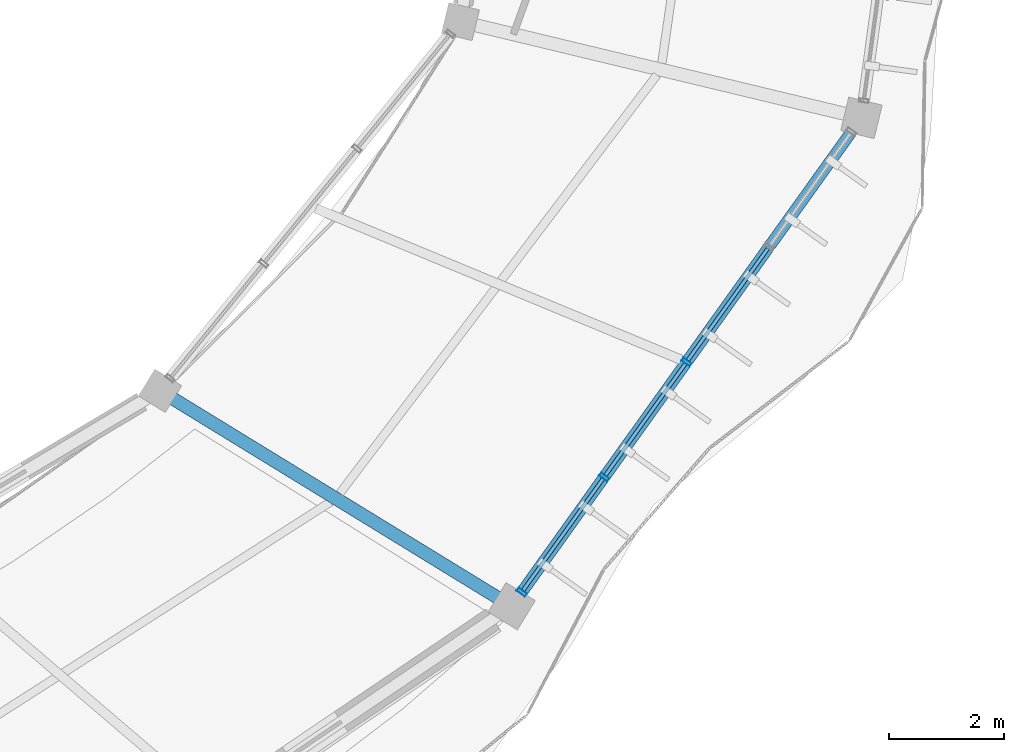
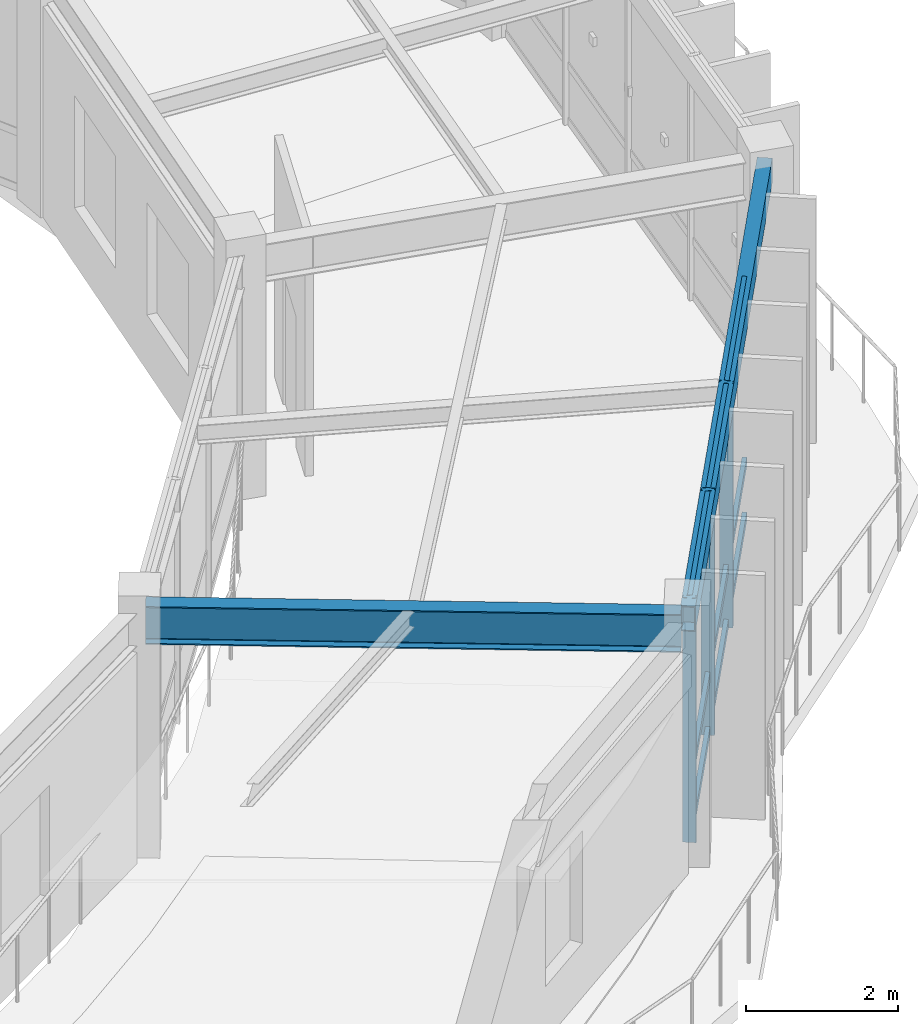
# One storey, part 54 of 83: 12 members, 2 beams, 1 element without a shape of its own.
"""IFC4 building model written with IfcOpenShell, lengths in metres."""

import ifcopenshell
import ifcopenshell.guid

model = None  # the IFC model being written
_history = None  # IfcOwnerHistory: only IFC2X3 demands one
_inside = {}  # id of a spatial element -> (the spatial element, [elements in it])
_under = {}  # id of a project, library or spatial element -> (it, [spatial elements below it])
_declared = {}  # id of a project -> (the project, [libraries it declares])
_typed = {}  # id of a type object -> (the type object, [elements of that type])
_made_of = {}  # id of a material, layer set ... -> (it, [elements and type objects made of it])


def new_model(schema):
    """Start an empty IFC model of exactly this schema.

    Asked for "IFC4X3", IfcOpenShell would pick the latest addendum, in which some entities
    have other attributes; the version numbers below select the first issue.
    IFC2X3 requires an IfcOwnerHistory on every rooted entity: one is made here for all.
    """
    global model, _history
    if schema == "IFC4X3":
        model = ifcopenshell.file(schema_version=(4, 3, 0, 0))
    else:
        model = ifcopenshell.file(schema=schema)
    _inside.clear()
    _under.clear()
    _declared.clear()
    _typed.clear()
    _made_of.clear()
    _history = None
    if model.schema == "IFC2X3":
        org = make("IfcOrganization", Name="unknown")
        user = make(
            "IfcPersonAndOrganization",
            ThePerson=make("IfcPerson", FamilyName="unknown"),
            TheOrganization=org,
        )
        app = make(
            "IfcApplication",
            ApplicationDeveloper=org,
            Version="unknown",
            ApplicationFullName="unknown",
            ApplicationIdentifier="unknown",
        )
        _history = make(
            "IfcOwnerHistory",
            OwningUser=user,
            OwningApplication=app,
            ChangeAction="ADDED",
            CreationDate=0,
        )
    return model


def make(cls, **values):
    """One entity of the class cls with the attributes given. An attribute that is None is left unset."""
    return model.create_entity(
        cls, **{name: value for name, value in values.items() if value is not None}
    )


def rooted(cls, **values):
    """An entity with a GlobalId (a new one), such as an element, a storey or a relation."""
    return make(cls, GlobalId=ifcopenshell.guid.new(), OwnerHistory=_history, **values)


def si_unit(unit_type, name, prefix=None):
    """IfcSIUnit, for example si_unit("LENGTHUNIT", "METRE", prefix="MILLI")."""
    return make("IfcSIUnit", UnitType=unit_type, Prefix=prefix, Name=name)


def assignment(units):
    """IfcUnitAssignment: the units of a project."""
    return None if units is None else make("IfcUnitAssignment", Units=units)


def point(xyz):
    """IfcCartesianPoint."""
    return None if xyz is None else make("IfcCartesianPoint", Coordinates=xyz)


def direction(xyz):
    """IfcDirection."""
    return None if xyz is None else make("IfcDirection", DirectionRatios=xyz)


def frame(location, z_axis=None, x_axis=None):
    """IfcAxis2Placement3D, a coordinate frame: its origin and axes. An axis left out is left unset."""
    return make(
        "IfcAxis2Placement3D",
        Location=point(location),
        Axis=direction(z_axis),
        RefDirection=direction(x_axis),
    )


def frame_2d(location, x_axis=None):
    """IfcAxis2Placement2D, a coordinate frame in the plane: its origin and x axis."""
    return make(
        "IfcAxis2Placement2D", Location=point(location), RefDirection=direction(x_axis)
    )


def origin():
    """The frame at (0, 0, 0) with its axes left unset."""
    return frame((0.0, 0.0, 0.0))


def origin_2d():
    """The frame at (0, 0) in the plane with its x axis left unset."""
    return frame_2d((0.0, 0.0))


def place(relative_to, where):
    """IfcLocalPlacement: puts the frame where relative to a parent placement (None: the world)."""
    return make(
        "IfcLocalPlacement", PlacementRelTo=relative_to, RelativePlacement=where
    )


def context(
    kind, dimensions, precision=None, world=None, true_north=None, identifier=None
):
    """IfcGeometricRepresentationContext, for example the 3D "Model" context."""
    return make(
        "IfcGeometricRepresentationContext",
        ContextIdentifier=identifier,
        ContextType=kind,
        CoordinateSpaceDimension=dimensions,
        Precision=precision,
        WorldCoordinateSystem=world,
        TrueNorth=true_north,
    )


def subcontext(parent, identifier, kind, view, scale=None):
    """IfcGeometricRepresentationSubContext, for example "Body" below "Model"."""
    return make(
        "IfcGeometricRepresentationSubContext",
        ContextIdentifier=identifier,
        ContextType=kind,
        ParentContext=parent,
        TargetScale=scale,
        TargetView=view,
    )


def project(units=None, contexts=None):
    """IfcProject with its units and contexts."""
    return rooted(
        "IfcProject",
        Name="project",
        RepresentationContexts=contexts,
        UnitsInContext=assignment(units),
    )


def spatial(cls, under=None, at=None, **own):
    """A site, building, storey or space (cls), placed at a placement, below another one or the project."""
    s = rooted(cls, ObjectPlacement=at, **own)
    if under is not None:
        _under.setdefault(under.id(), (under, []))[1].append(s)
    return s


def profile(cls, at=None, kind="AREA", **sizes):
    """A parametric profile (cls). Its sizes go by their IFC names, for example OverallWidth=200.0."""
    return make(cls, ProfileType=kind, Position=at, **sizes)


def hollow_rectangle(**sizes):
    """IfcRectangleHollowProfileDef."""
    return profile("IfcRectangleHollowProfileDef", **sizes)


def i_section(**sizes):
    """IfcIShapeProfileDef."""
    return profile("IfcIShapeProfileDef", **sizes)


def extrude(swept, where, along, depth):
    """IfcExtrudedAreaSolid: the profile swept, set in the frame where, extruded along a direction by depth."""
    return make(
        "IfcExtrudedAreaSolid",
        SweptArea=swept,
        Position=where,
        ExtrudedDirection=direction(along),
        Depth=depth,
    )


def shape(context_of_items, identifier, shape_type, items):
    """IfcShapeRepresentation: the items that make up one representation, for example the "Body"."""
    return make(
        "IfcShapeRepresentation",
        ContextOfItems=context_of_items,
        RepresentationIdentifier=identifier,
        RepresentationType=shape_type,
        Items=items,
    )


def material(Name=None, Category=None):
    """IfcMaterial."""
    return make("IfcMaterial", Name=Name, Category=Category)


def material_profile(
    of_material, cross_section, Name=None, Category=None, Priority=None
):
    """IfcMaterialProfile: a cross section and its material."""
    return make(
        "IfcMaterialProfile",
        Name=Name,
        Material=of_material,
        Profile=cross_section,
        Priority=Priority,
        Category=Category,
    )


def profile_set(profiles, Name=None, composite=None):
    """IfcMaterialProfileSet."""
    return make(
        "IfcMaterialProfileSet",
        Name=Name,
        MaterialProfiles=profiles,
        CompositeProfile=composite,
    )


def made_of(thing, what):
    """Note that an element or type object is made of a material, layer set ...; save() writes the relation."""
    if what is not None:
        _made_of.setdefault(what.id(), (what, []))[1].append(thing)
    return thing


def type_object(cls, material=None, **own):
    """A type object (cls), such as IfcWallType, which elements share."""
    return made_of(rooted(cls, **own), material)


def element(
    cls,
    number,
    at=None,
    inside=None,
    cuts=None,
    type_object=None,
    material=None,
    context=None,
    identifier="Body",
    shape_type=None,
    held_by="IfcProductDefinitionShape",
    body=None,
    shapes=None,
    **own,
):
    """One element of the class cls, such as IfcWall. Its Tag is "e" and its number.

    at: its placement. inside: the storey or other place that contains it. cuts: it is an
    opening in that element (IfcRelVoidsElement). A single representation is given by context,
    identifier, shape_type and body (its items); several are given by shapes. held_by: the class
    of the entity that holds the representations. save() writes the other relations.
    """
    e = rooted(cls, Tag="e%d" % number, ObjectPlacement=at, **own)
    if body is not None:
        shapes = [shape(context, identifier, shape_type, body)]
    if shapes is not None:
        e.Representation = make(held_by, Representations=shapes)
    if inside is not None:
        _inside.setdefault(inside.id(), (inside, []))[1].append(e)
    if cuts is not None:
        rooted(
            "IfcRelVoidsElement", RelatingBuildingElement=cuts, RelatedOpeningElement=e
        )
    if type_object is not None:
        _typed.setdefault(type_object.id(), (type_object, []))[1].append(e)
    return made_of(e, material)


def aggregate(whole, parts):
    """IfcRelAggregates: a whole, such as a stair, and the parts it consists of."""
    return rooted("IfcRelAggregates", RelatingObject=whole, RelatedObjects=parts)


def save(model, path):
    """Write the relations noted so far, then the file.

    IfcRelAggregates (storeys below a building ...), IfcRelContainedInSpatialStructure (elements
    in a storey), IfcRelDefinesByType, IfcRelAssociatesMaterial and IfcRelDeclares: one each for
    every whole, place, type object, material and project.
    """
    for whole, parts in _under.values():
        aggregate(whole, parts)
    for where, things in _inside.values():
        rooted(
            "IfcRelContainedInSpatialStructure",
            RelatedElements=things,
            RelatingStructure=where,
        )
    for kind, things in _typed.values():
        rooted("IfcRelDefinesByType", RelatedObjects=things, RelatingType=kind)
    for what, things in _made_of.values():
        rooted("IfcRelAssociatesMaterial", RelatedObjects=things, RelatingMaterial=what)
    for by, libraries in _declared.values():
        rooted("IfcRelDeclares", RelatingContext=by, RelatedDefinitions=libraries)
    model.write(path)


model = new_model("IFC4")

# Units and contexts
model_context = context("Model", 3, precision=1e-05, world=origin(), true_north=direction((0.0, 1.0)))
body_context = subcontext(model_context, "Body", "Model", "MODEL_VIEW")
ifc_project = project(units=[si_unit("LENGTHUNIT", "METRE"), si_unit("AREAUNIT", "SQUARE_METRE"), si_unit("VOLUMEUNIT", "CUBIC_METRE"), si_unit("PLANEANGLEUNIT", "RADIAN"), si_unit("MASSUNIT", "GRAM", prefix="KILO"), si_unit("THERMODYNAMICTEMPERATUREUNIT", "KELVIN"), si_unit("POWERUNIT", "WATT")], contexts=[model_context])

# Site, building, storey
site_placement = place(None, origin())
site = spatial("IfcSite", under=ifc_project, at=site_placement, CompositionType="ELEMENT")
building_placement = place(site_placement, origin())
building = spatial("IfcBuilding", under=site, at=building_placement, Name="Darbajah Civic Hall", CompositionType="ELEMENT")
storey_placement = place(building_placement, frame((0.0, 0.0, 18.0)))
storey = spatial("IfcBuildingStorey", under=building, at=storey_placement, Name="L04", CompositionType="ELEMENT", Elevation=18.0)

# Curtain wall, members
ifc_material_1 = material(Name="Anodised Bronze Aluminium and Low-E Glazing", Category="aluminium")
curtain_wall_type = type_object("IfcCurtainWallType", Name="Unitised Curtain Wall CW-74 9900x3900", PredefinedType="USERDEFINED", material=ifc_material_1)
curtain_wall_placement = place(storey_placement, origin())
curtain_wall = element("IfcCurtainWall", 1, at=curtain_wall_placement, inside=storey, type_object=curtain_wall_type, Name="L04 unitised curtain wall CW-V1O-L04-18", ObjectType="UNITISED CURTAIN WALL", PredefinedType="USERDEFINED")
ifc_material_2 = material(Name="Anodised Bronze Aluminium", Category="aluminium")
ifc_material_profile_1 = material_profile(ifc_material_2, hollow_rectangle(XDim=0.06494140625, YDim=0.179931640625, WallThickness=0.00390625, at=origin_2d()), Name="ALU MULLION 65x180")
ifc_profile_set_1 = profile_set([ifc_material_profile_1], Name="Anodised Bronze Aluminium")
member_type_1 = type_object("IfcMemberType", Name="ALU MULLION 65x180", PredefinedType="MULLION", material=ifc_profile_set_1)
member_1_placement = place(storey_placement, frame((132.760498046875, 74.6318359375, 0.0), z_axis=(0.0, 0.0, 1.0), x_axis=(0.582264874145, 0.812999149039, 0.0)))
member_1 = element("IfcMember", 2, at=member_1_placement, type_object=member_type_1, Name="CW-V1O-L04-18 mullion 1", PredefinedType="MULLION", context=body_context, shape_type="SweptSolid", body=[
    extrude(hollow_rectangle(XDim=0.06494140625, YDim=0.179931640625, WallThickness=0.00390625, at=origin_2d()), origin(), (0.0, 0.0, 1.0), 3.919921875),
])
member_2_placement = place(storey_placement, frame((134.19921875, 76.640869140625, 0.0), z_axis=(0.0, 0.0, 1.0), x_axis=(0.582264874145, 0.812999149039, 0.0)))
member_2 = element("IfcMember", 3, at=member_2_placement, type_object=member_type_1, Name="CW-V1O-L04-18 mullion 2", PredefinedType="MULLION", context=body_context, shape_type="SweptSolid", body=[
    extrude(hollow_rectangle(XDim=0.06494140625, YDim=0.179931640625, WallThickness=0.00390625, at=origin_2d()), origin(), (0.0, 0.0, 1.0), 3.919921875),
])
member_3_placement = place(storey_placement, frame((135.6376953125, 78.64990234375, 0.0), z_axis=(0.0, 0.0, 1.0), x_axis=(0.582264874145, 0.812999149039, 0.0)))
member_3 = element("IfcMember", 4, at=member_3_placement, type_object=member_type_1, Name="CW-V1O-L04-18 mullion 3", PredefinedType="MULLION", context=body_context, shape_type="SweptSolid", body=[
    extrude(hollow_rectangle(XDim=0.06494140625, YDim=0.179931640625, WallThickness=0.00390625, at=origin_2d()), origin(), (0.0, 0.0, 1.0), 3.919921875),
])
ifc_material_profile_2 = material_profile(ifc_material_2, hollow_rectangle(XDim=0.06494140625, YDim=0.139892578125, WallThickness=0.00341796875, at=origin_2d()), Name="ALU TRANSOM 65x140")
ifc_profile_set_2 = profile_set([ifc_material_profile_2], Name="Anodised Bronze Aluminium")
member_type_2 = type_object("IfcMemberType", Name="ALU TRANSOM 65x140", PredefinedType="USERDEFINED", material=ifc_profile_set_2)
member_4_placement = place(storey_placement, frame((132.7822265625, 74.662353515625, 0.070068359375), z_axis=(0.582230553202, 0.813023728386, 0.0), x_axis=(-0.813023728386, 0.582230553202, 0.0)))
member_4 = element("IfcMember", 5, at=member_4_placement, type_object=member_type_2, Name="CW-V1O-L04-18 transom 1.1", ObjectType="TRANSOM", PredefinedType="USERDEFINED", context=body_context, shape_type="SweptSolid", body=[
    extrude(hollow_rectangle(XDim=0.06494140625, YDim=0.139892578125, WallThickness=0.00341796875, at=origin_2d()), origin(), (0.0, 0.0, 1.0), 2.39599609375),
])
member_5_placement = place(storey_placement, frame((132.7822265625, 74.662353515625, 0.949951171875), z_axis=(0.582230553202, 0.813023728386, 0.0), x_axis=(-0.813023728386, 0.582230553202, 0.0)))
member_5 = element("IfcMember", 6, at=member_5_placement, type_object=member_type_2, Name="CW-V1O-L04-18 transom 1.2", ObjectType="TRANSOM", PredefinedType="USERDEFINED", context=body_context, shape_type="SweptSolid", body=[
    extrude(hollow_rectangle(XDim=0.06494140625, YDim=0.139892578125, WallThickness=0.00341796875, at=origin_2d()), origin(), (0.0, 0.0, 1.0), 2.39599609375),
])
member_6_placement = place(storey_placement, frame((132.7822265625, 74.662353515625, 3.85009765625), z_axis=(0.582230553202, 0.813023728386, 0.0), x_axis=(-0.813023728386, 0.582230553202, 0.0)))
member_6 = element("IfcMember", 7, at=member_6_placement, type_object=member_type_2, Name="CW-V1O-L04-18 transom 1.3", ObjectType="TRANSOM", PredefinedType="USERDEFINED", context=body_context, shape_type="SweptSolid", body=[
    extrude(hollow_rectangle(XDim=0.06494140625, YDim=0.139892578125, WallThickness=0.00341796875, at=origin_2d()), origin(), (0.0, 0.0, 1.0), 2.39599609375),
])
member_7_placement = place(storey_placement, frame((134.220947265625, 76.67138671875, 0.070068359375), z_axis=(0.582230553202, 0.813023728386, 0.0), x_axis=(-0.813023728386, 0.582230553202, 0.0)))
member_7 = element("IfcMember", 8, at=member_7_placement, type_object=member_type_2, Name="CW-V1O-L04-18 transom 2.1", ObjectType="TRANSOM", PredefinedType="USERDEFINED", context=body_context, shape_type="SweptSolid", body=[
    extrude(hollow_rectangle(XDim=0.06494140625, YDim=0.139892578125, WallThickness=0.00341796875, at=origin_2d()), origin(), (0.0, 0.0, 1.0), 2.39599609375),
])
member_8_placement = place(storey_placement, frame((134.220947265625, 76.67138671875, 0.949951171875), z_axis=(0.582230553202, 0.813023728386, 0.0), x_axis=(-0.813023728386, 0.582230553202, 0.0)))
member_8 = element("IfcMember", 9, at=member_8_placement, type_object=member_type_2, Name="CW-V1O-L04-18 transom 2.2", ObjectType="TRANSOM", PredefinedType="USERDEFINED", context=body_context, shape_type="SweptSolid", body=[
    extrude(hollow_rectangle(XDim=0.06494140625, YDim=0.139892578125, WallThickness=0.00341796875, at=origin_2d()), origin(), (0.0, 0.0, 1.0), 2.39599609375),
])
member_9_placement = place(storey_placement, frame((134.220947265625, 76.67138671875, 3.85009765625), z_axis=(0.582230553202, 0.813023728386, 0.0), x_axis=(-0.813023728386, 0.582230553202, 0.0)))
member_9 = element("IfcMember", 10, at=member_9_placement, type_object=member_type_2, Name="CW-V1O-L04-18 transom 2.3", ObjectType="TRANSOM", PredefinedType="USERDEFINED", context=body_context, shape_type="SweptSolid", body=[
    extrude(hollow_rectangle(XDim=0.06494140625, YDim=0.139892578125, WallThickness=0.00341796875, at=origin_2d()), origin(), (0.0, 0.0, 1.0), 2.39599609375),
])
member_10_placement = place(storey_placement, frame((135.65966796875, 78.680419921875, 0.070068359375), z_axis=(0.582230553202, 0.813023728386, 0.0), x_axis=(-0.813023728386, 0.582230553202, 0.0)))
member_10 = element("IfcMember", 11, at=member_10_placement, type_object=member_type_2, Name="CW-V1O-L04-18 transom 3.1", ObjectType="TRANSOM", PredefinedType="USERDEFINED", context=body_context, shape_type="SweptSolid", body=[
    extrude(hollow_rectangle(XDim=0.06494140625, YDim=0.139892578125, WallThickness=0.00341796875, at=origin_2d()), origin(), (0.0, 0.0, 1.0), 2.39599609375),
])
member_11_placement = place(storey_placement, frame((135.65966796875, 78.680419921875, 0.949951171875), z_axis=(0.582230553202, 0.813023728386, 0.0), x_axis=(-0.813023728386, 0.582230553202, 0.0)))
member_11 = element("IfcMember", 12, at=member_11_placement, type_object=member_type_2, Name="CW-V1O-L04-18 transom 3.2", ObjectType="TRANSOM", PredefinedType="USERDEFINED", context=body_context, shape_type="SweptSolid", body=[
    extrude(hollow_rectangle(XDim=0.06494140625, YDim=0.139892578125, WallThickness=0.00341796875, at=origin_2d()), origin(), (0.0, 0.0, 1.0), 2.39599609375),
])
member_12_placement = place(storey_placement, frame((135.65966796875, 78.680419921875, 3.85009765625), z_axis=(0.582230553202, 0.813023728386, 0.0), x_axis=(-0.813023728386, 0.582230553202, 0.0)))
member_12 = element("IfcMember", 13, at=member_12_placement, type_object=member_type_2, Name="CW-V1O-L04-18 transom 3.3", ObjectType="TRANSOM", PredefinedType="USERDEFINED", context=body_context, shape_type="SweptSolid", body=[
    extrude(hollow_rectangle(XDim=0.06494140625, YDim=0.139892578125, WallThickness=0.00341796875, at=origin_2d()), origin(), (0.0, 0.0, 1.0), 2.39599609375),
])
aggregate(curtain_wall, [member_1, member_2, member_3, member_4, member_5, member_6, member_7, member_8, member_9, member_10, member_11, member_12])

# Beams
ifc_material_3 = material(Name="Steel S355JR", Category="steel")
ifc_material_profile_3 = material_profile(ifc_material_3, hollow_rectangle(XDim=0.199951171875, YDim=0.39990234375, WallThickness=0.013916015625, at=origin_2d()), Name="RHS 400x200x14")
ifc_profile_set_3 = profile_set([ifc_material_profile_3], Name="Steel S355JR")
beam_type_1 = type_object("IfcBeamType", Name="RHS 400x200x14", PredefinedType="SPANDREL", material=ifc_profile_set_3)
beam_1_placement = place(storey_placement, frame((132.631103515625, 74.451416015625, 3.719970703125), z_axis=(0.58222165068, 0.813030103674, 0.0), x_axis=(-0.813030103674, 0.58222165068, 0.0)))
element("IfcBeam", 14, at=beam_1_placement, inside=storey, type_object=beam_type_1, Name="L04 beam SP-RHS400", PredefinedType="SPANDREL", context=body_context, shape_type="SweptSolid", body=[
    extrude(hollow_rectangle(XDim=0.199951171875, YDim=0.39990234375, WallThickness=0.013916015625, at=origin_2d()), origin(), (0.0, 0.0, 1.0), 10.327880859375),
])
ifc_material_profile_4 = material_profile(ifc_material_3, i_section(OverallWidth=0.228271484375, OverallDepth=0.607666015625, WebThickness=0.010986328125, FlangeThickness=0.017333984375, FilletRadius=0.0126953125, at=origin_2d()), Name="UB 610x229x113")
ifc_profile_set_4 = profile_set([ifc_material_profile_4], Name="Steel S355JR")
beam_type_2 = type_object("IfcBeamType", Name="UB 610x229x113", PredefinedType="BEAM", material=ifc_profile_set_4)
beam_2_placement = place(storey_placement, frame((126.513916015625, 78.1064453125, 3.6162109375), z_axis=(0.852629661041, -0.522515704178, 0.0), x_axis=(0.522515704178, 0.852629661041, 0.0)))
element("IfcBeam", 15, at=beam_2_placement, inside=storey, type_object=beam_type_2, Name="L04 beam SB-610", PredefinedType="BEAM", context=body_context, shape_type="SweptSolid", body=[
    extrude(i_section(OverallWidth=0.228271484375, OverallDepth=0.607666015625, WebThickness=0.010986328125, FlangeThickness=0.017333984375, FilletRadius=0.0126953125, at=origin_2d()), origin(), (0.0, 0.0, 1.0), 7.039794921875),
])

save(model, "model.ifc")
